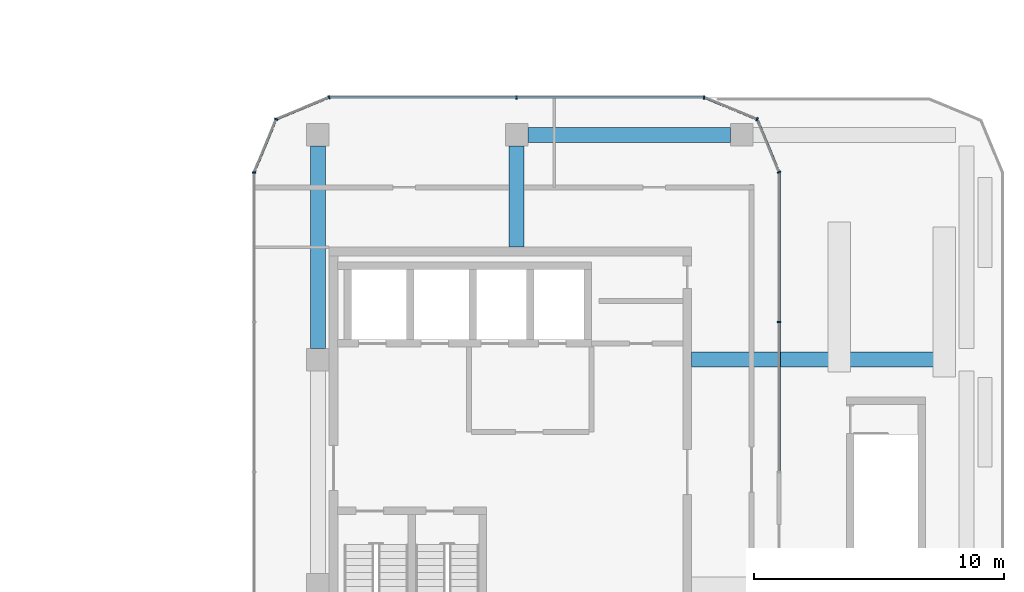
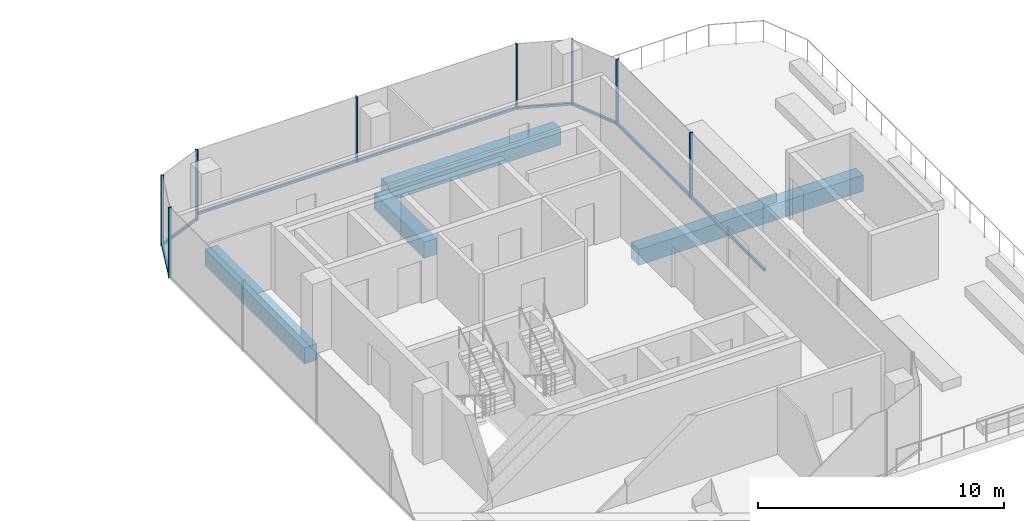
# One storey, part 9 of 22: 14 members, 4 beams, 7 elements without a shape of their own.
"""IFC4 building model written with IfcOpenShell, lengths in metres."""

from ifc_helpers import new_model, si_unit, direction, frame, origin, origin_2d, place, context, subcontext, project, spatial, rectangle, extrude, material, layer, layer_set, material_profile, profile_set, type_object, element, aggregate, save


model = new_model("IFC4")

# Units and contexts
model_context = context("Model", 3, precision=1e-05, world=origin(), true_north=direction((0.0, 1.0)))
body_context = subcontext(model_context, "Body", "Model", "MODEL_VIEW")
ifc_project = project(units=[si_unit("LENGTHUNIT", "METRE"), si_unit("AREAUNIT", "SQUARE_METRE"), si_unit("VOLUMEUNIT", "CUBIC_METRE"), si_unit("PLANEANGLEUNIT", "RADIAN"), si_unit("MASSUNIT", "GRAM", prefix="KILO")], contexts=[model_context])

# Site, building, storey
site_placement = place(None, origin())
site = spatial("IfcSite", under=ifc_project, at=site_placement, CompositionType="ELEMENT")
building_placement = place(site_placement, origin())
building = spatial("IfcBuilding", under=site, at=building_placement, Name="Plateau Cross Towers", CompositionType="ELEMENT")
storey_placement = place(building_placement, frame((0.0, 0.0, 116.800048828125)))
storey = spatial("IfcBuildingStorey", under=building, at=storey_placement, Name="L30", CompositionType="ELEMENT", Elevation=116.800048828125)

# Beams
ifc_material_1 = material(Name="Concrete C60/75", Category="concrete")
ifc_material_profile_1 = material_profile(ifc_material_1, rectangle(XDim=0.60009765625, YDim=0.800048828125, at=origin_2d()), Name="RC 600x800")
ifc_profile_set_1 = profile_set([ifc_material_profile_1], Name="Concrete C60/75")
beam_type_1 = type_object("IfcBeamType", Name="Core beam RC 600x800", PredefinedType="BEAM", material=ifc_profile_set_1)
beam_1_placement = place(storey_placement, frame((89.5, 13.5, -0.650146484375), z_axis=(1.0, 0.0, 0.0), x_axis=(0.0, 1.0, 0.0)))
element("IfcBeam", 1, at=beam_1_placement, inside=storey, type_object=beam_type_1, Name="B-CB03@L30", PredefinedType="BEAM", context=body_context, shape_type="SweptSolid", body=[
    extrude(rectangle(XDim=0.60009765625, YDim=0.800048828125, at=origin_2d()), origin(), (0.0, 0.0, 1.0), 10.550048828125),
])
beam_2_placement = place(storey_placement, frame((82.5, 18.0, -0.650146484375), z_axis=(0.0, 1.0, 0.0), x_axis=(-1.0, 0.0, 0.0)))
element("IfcBeam", 2, at=beam_2_placement, inside=storey, type_object=beam_type_1, Name="B-CB04@L30", PredefinedType="BEAM", context=body_context, shape_type="SweptSolid", body=[
    extrude(rectangle(XDim=0.60009765625, YDim=0.800048828125, at=origin_2d()), origin(), (0.0, 0.0, 1.0), 4.050048828125),
])

# Curtain wall, member
ifc_material_2 = material(Name="Dark low-iron glass", Category="glass")
ifc_layer = layer(ifc_material_2, 0.239990234375)
ifc_layer_set = layer_set([ifc_layer], Name="Dark low-iron glass")
curtain_wall_type = type_object("IfcCurtainWallType", Name="Curtain wall office unitised CW-F", PredefinedType="NOTDEFINED", material=ifc_layer_set)
curtain_wall_1_placement = place(storey_placement, origin())
curtain_wall_1 = element("IfcCurtainWall", 3, at=curtain_wall_1_placement, inside=storey, type_object=curtain_wall_type, Name="ENV/B/L30/B930_90", PredefinedType="NOTDEFINED")
ifc_material_3 = material(Name="Black anodised aluminium", Category="aluminium")
ifc_material_profile_2 = material_profile(ifc_material_3, rectangle(XDim=0.06005859375, YDim=0.139892578125, at=origin_2d()), Name="MULLION 60x140")
ifc_profile_set_2 = profile_set([ifc_material_profile_2], Name="Black anodised aluminium")
member_type_1 = type_object("IfcMemberType", Name="Mullion 60x140 office unitised", PredefinedType="MULLION", material=ifc_profile_set_2)
member_1_placement = place(storey_placement, frame((93.0, 15.0, 0.0), z_axis=(0.0, 0.0, 1.0), x_axis=(0.0, 1.0, 0.0)))
member_1 = element("IfcMember", 4, at=member_1_placement, type_object=member_type_1, Name="CW-F mullion 2", PredefinedType="MULLION", context=body_context, shape_type="SweptSolid", body=[
    extrude(rectangle(XDim=0.06005859375, YDim=0.139892578125, at=origin_2d()), origin(), (0.0, 0.0, 1.0), 3.25),
])

curtain_wall_2_placement = place(storey_placement, origin())
curtain_wall_2 = element("IfcCurtainWall", 5, at=curtain_wall_2_placement, inside=storey, type_object=curtain_wall_type, Name="ENV/B/L30/B930_210", PredefinedType="NOTDEFINED")
member_2_placement = place(storey_placement, frame((93.0, 21.0, 0.0), z_axis=(0.0, 0.0, 1.0), x_axis=(-0.382683612978, 0.923879457699, 0.0)))
member_2 = element("IfcMember", 6, at=member_2_placement, type_object=member_type_1, Name="CW-F mullion 1", PredefinedType="MULLION", context=body_context, shape_type="SweptSolid", body=[
    extrude(rectangle(XDim=0.06005859375, YDim=0.139892578125, at=origin_2d()), origin(), (0.0, 0.0, 1.0), 3.25),
])

curtain_wall_3_placement = place(storey_placement, origin())
curtain_wall_3 = element("IfcCurtainWall", 7, at=curtain_wall_3_placement, inside=storey, type_object=curtain_wall_type, Name="ENV/B/L30/B921_231", PredefinedType="NOTDEFINED")
member_3_placement = place(storey_placement, frame((92.121337890625, 23.121337890625, 0.0), z_axis=(0.0, 0.0, 1.0), x_axis=(-0.923879457699, 0.382683612978, 0.0)))
member_3 = element("IfcMember", 8, at=member_3_placement, type_object=member_type_1, Name="CW-F mullion 1", PredefinedType="MULLION", context=body_context, shape_type="SweptSolid", body=[
    extrude(rectangle(XDim=0.06005859375, YDim=0.139892578125, at=origin_2d()), origin(), (0.0, 0.0, 1.0), 3.25),
])

# Curtain wall, members
curtain_wall_4_placement = place(storey_placement, origin())
curtain_wall_4 = element("IfcCurtainWall", 9, at=curtain_wall_4_placement, inside=storey, type_object=curtain_wall_type, Name="ENV/B/L30/B900_240", PredefinedType="NOTDEFINED")
member_4_placement = place(storey_placement, frame((90.0, 24.0, 0.0), z_axis=(0.0, 0.0, 1.0), x_axis=(-1.0, 0.0, 0.0)))
member_4 = element("IfcMember", 10, at=member_4_placement, type_object=member_type_1, Name="CW-F mullion 1", PredefinedType="MULLION", context=body_context, shape_type="SweptSolid", body=[
    extrude(rectangle(XDim=0.06005859375, YDim=0.139892578125, at=origin_2d()), origin(), (0.0, 0.0, 1.0), 3.25),
])
member_5_placement = place(storey_placement, frame((82.5, 24.0, 0.0), z_axis=(0.0, 0.0, 1.0), x_axis=(-1.0, 0.0, 0.0)))
member_5 = element("IfcMember", 11, at=member_5_placement, type_object=member_type_1, Name="CW-F mullion 2", PredefinedType="MULLION", context=body_context, shape_type="SweptSolid", body=[
    extrude(rectangle(XDim=0.06005859375, YDim=0.139892578125, at=origin_2d()), origin(), (0.0, 0.0, 1.0), 3.25),
])

# Curtain wall, member
curtain_wall_5_placement = place(storey_placement, origin())
curtain_wall_5 = element("IfcCurtainWall", 12, at=curtain_wall_5_placement, inside=storey, type_object=curtain_wall_type, Name="ENV/B/L30/B750_240", PredefinedType="NOTDEFINED")
member_6_placement = place(storey_placement, frame((75.0, 24.0, -0.25), z_axis=(0.0, 0.0, 1.0), x_axis=(-0.923879457699, -0.382683612978, 0.0)))
member_6 = element("IfcMember", 13, at=member_6_placement, type_object=member_type_1, Name="CW-F mullion 1", PredefinedType="MULLION", context=body_context, shape_type="SweptSolid", body=[
    extrude(rectangle(XDim=0.06005859375, YDim=0.139892578125, at=origin_2d()), origin(), (0.0, 0.0, 1.0), 3.5),
])

curtain_wall_6_placement = place(storey_placement, origin())
curtain_wall_6 = element("IfcCurtainWall", 14, at=curtain_wall_6_placement, inside=storey, type_object=curtain_wall_type, Name="ENV/B/L30/B729_231", PredefinedType="NOTDEFINED")
member_7_placement = place(storey_placement, frame((72.878662109375, 23.121337890625, -0.25), z_axis=(0.0, 0.0, 1.0), x_axis=(-0.382683612978, -0.923879457699, 0.0)))
member_7 = element("IfcMember", 15, at=member_7_placement, type_object=member_type_1, Name="CW-F mullion 1", PredefinedType="MULLION", context=body_context, shape_type="SweptSolid", body=[
    extrude(rectangle(XDim=0.06005859375, YDim=0.139892578125, at=origin_2d()), origin(), (0.0, 0.0, 1.0), 3.5),
])

curtain_wall_7_placement = place(storey_placement, origin())
curtain_wall_7 = element("IfcCurtainWall", 16, at=curtain_wall_7_placement, inside=storey, type_object=curtain_wall_type, Name="ENV/B/L30/B720_210", PredefinedType="NOTDEFINED")
member_8_placement = place(storey_placement, frame((72.0, 21.0, -0.25), z_axis=(0.0, 0.0, 1.0), x_axis=(0.0, -1.0, 0.0)))
member_8 = element("IfcMember", 17, at=member_8_placement, type_object=member_type_1, Name="CW-F mullion 1", PredefinedType="MULLION", context=body_context, shape_type="SweptSolid", body=[
    extrude(rectangle(XDim=0.06005859375, YDim=0.139892578125, at=origin_2d()), origin(), (0.0, 0.0, 1.0), 3.5),
])
aggregate(curtain_wall_7, [member_8])

# Beams
ifc_material_profile_3 = material_profile(ifc_material_1, rectangle(XDim=0.60009765625, YDim=0.800048828125, at=origin_2d()), Name="RC 600x800")
ifc_profile_set_3 = profile_set([ifc_material_profile_3], Name="Concrete C60/75")
beam_type_2 = type_object("IfcBeamType", Name="Ring beam RC 600x800", PredefinedType="BEAM", material=ifc_profile_set_3)
for number, where, z_axis, x_axis, name in (
    (18, (91.050048828125, 22.5, -0.650146484375), (-1.0, 0.0, 0.0), (0.0, -1.0, 0.0), "B-RB07@L30"),
    (19, (74.550048828125, 22.050048828125, -0.650146484375), (0.0, -1.0, 0.0), (1.0, 0.0, 0.0), "B-RB08@L30"),
):
    element("IfcBeam", number, at=place(storey_placement, frame(where, z_axis=z_axis, x_axis=x_axis)), inside=storey, type_object=beam_type_2, Name=name, PredefinedType="BEAM", context=body_context, shape_type="SweptSolid", body=[
        extrude(rectangle(XDim=0.60009765625, YDim=0.800048828125, at=origin_2d()), origin(), (0.0, 0.0, 1.0), 8.10009765625),
    ])

# Member
ifc_material_profile_4 = material_profile(ifc_material_3, rectangle(XDim=0.10009765625, YDim=0.1201171875, at=origin_2d()), Name="TRANSOM 100x120")
ifc_profile_set_4 = profile_set([ifc_material_profile_4], Name="Black anodised aluminium")
member_type_2 = type_object("IfcMemberType", Name="Transom 100x120 office unitised", PredefinedType="USERDEFINED", material=ifc_profile_set_4)
member_9_placement = place(storey_placement, frame((93.0, 9.0, 0.06005859375), z_axis=(0.0, 1.0, 0.0), x_axis=(-1.0, 0.0, 0.0)))
member_9 = element("IfcMember", 20, at=member_9_placement, type_object=member_type_2, Name="CW-F transom", ObjectType="TRANSOM", PredefinedType="USERDEFINED", context=body_context, shape_type="SweptSolid", body=[
    extrude(rectangle(XDim=0.10009765625, YDim=0.1201171875, at=origin_2d()), origin(), (0.0, 0.0, 1.0), 12.0),
])

aggregate(curtain_wall_1, [member_1, member_9])

member_10_placement = place(storey_placement, frame((93.0, 21.0, 0.06005859375), z_axis=(-0.382674207535, 0.923883353507, 0.0), x_axis=(-0.923883353507, -0.382674207535, 0.0)))
member_10 = element("IfcMember", 21, at=member_10_placement, type_object=member_type_2, Name="CW-F transom", ObjectType="TRANSOM", PredefinedType="USERDEFINED", context=body_context, shape_type="SweptSolid", body=[
    extrude(rectangle(XDim=0.10009765625, YDim=0.1201171875, at=origin_2d()), origin(), (0.0, 0.0, 1.0), 2.296142578125),
])

aggregate(curtain_wall_2, [member_2, member_10])

member_11_placement = place(storey_placement, frame((92.121337890625, 23.121337890625, 0.06005859375), z_axis=(-0.923883353507, 0.382674207535, 0.0), x_axis=(-0.382674207535, -0.923883353507, 0.0)))
member_11 = element("IfcMember", 22, at=member_11_placement, type_object=member_type_2, Name="CW-F transom", ObjectType="TRANSOM", PredefinedType="USERDEFINED", context=body_context, shape_type="SweptSolid", body=[
    extrude(rectangle(XDim=0.10009765625, YDim=0.1201171875, at=origin_2d()), origin(), (0.0, 0.0, 1.0), 2.296142578125),
])

aggregate(curtain_wall_3, [member_3, member_11])

member_12_placement = place(storey_placement, frame((90.0, 24.0, 0.06005859375), z_axis=(-1.0, 0.0, 0.0), x_axis=(0.0, -1.0, 0.0)))
member_12 = element("IfcMember", 23, at=member_12_placement, type_object=member_type_2, Name="CW-F transom", ObjectType="TRANSOM", PredefinedType="USERDEFINED", context=body_context, shape_type="SweptSolid", body=[
    extrude(rectangle(XDim=0.10009765625, YDim=0.1201171875, at=origin_2d()), origin(), (0.0, 0.0, 1.0), 15.0),
])

aggregate(curtain_wall_4, [member_4, member_5, member_12])

member_13_placement = place(storey_placement, frame((75.0, 24.0, -0.18994140625), z_axis=(-0.923883353507, -0.382674207535, 0.0), x_axis=(0.382674207535, -0.923883353507, 0.0)))
member_13 = element("IfcMember", 24, at=member_13_placement, type_object=member_type_2, Name="CW-F transom", ObjectType="TRANSOM", PredefinedType="USERDEFINED", context=body_context, shape_type="SweptSolid", body=[
    extrude(rectangle(XDim=0.10009765625, YDim=0.1201171875, at=origin_2d()), origin(), (0.0, 0.0, 1.0), 2.296142578125),
])

aggregate(curtain_wall_5, [member_6, member_13])

member_14_placement = place(storey_placement, frame((72.878662109375, 23.121337890625, -0.18994140625), z_axis=(-0.382674207535, -0.923883353507, 0.0), x_axis=(0.923883353507, -0.382674207535, 0.0)))
member_14 = element("IfcMember", 25, at=member_14_placement, type_object=member_type_2, Name="CW-F transom", ObjectType="TRANSOM", PredefinedType="USERDEFINED", context=body_context, shape_type="SweptSolid", body=[
    extrude(rectangle(XDim=0.10009765625, YDim=0.1201171875, at=origin_2d()), origin(), (0.0, 0.0, 1.0), 2.296142578125),
])

aggregate(curtain_wall_6, [member_7, member_14])

save(model, "model.ifc")
